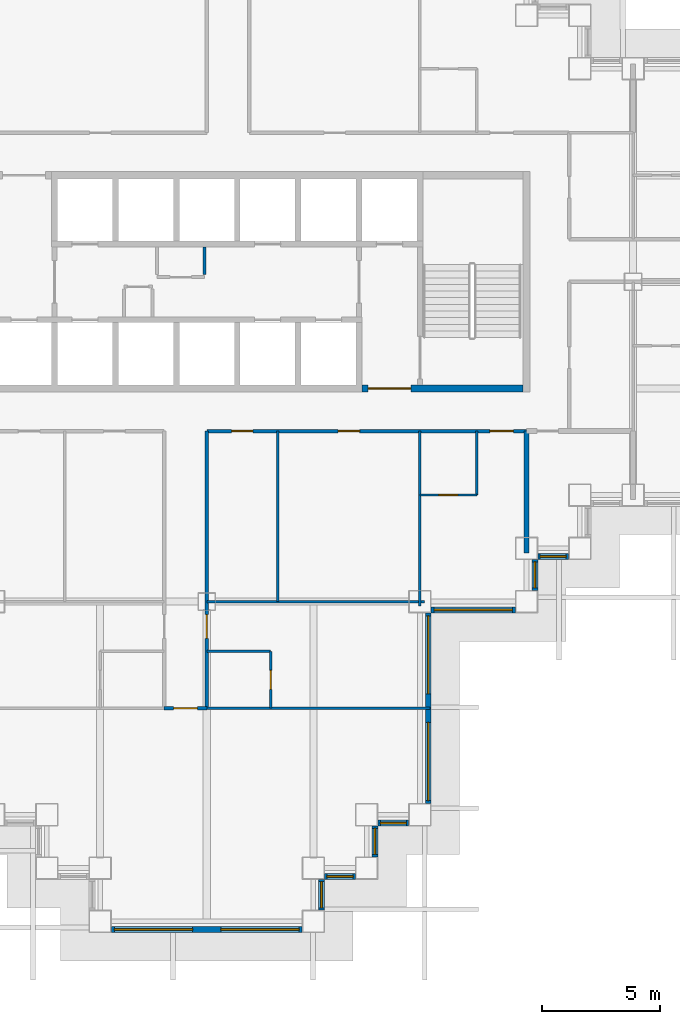
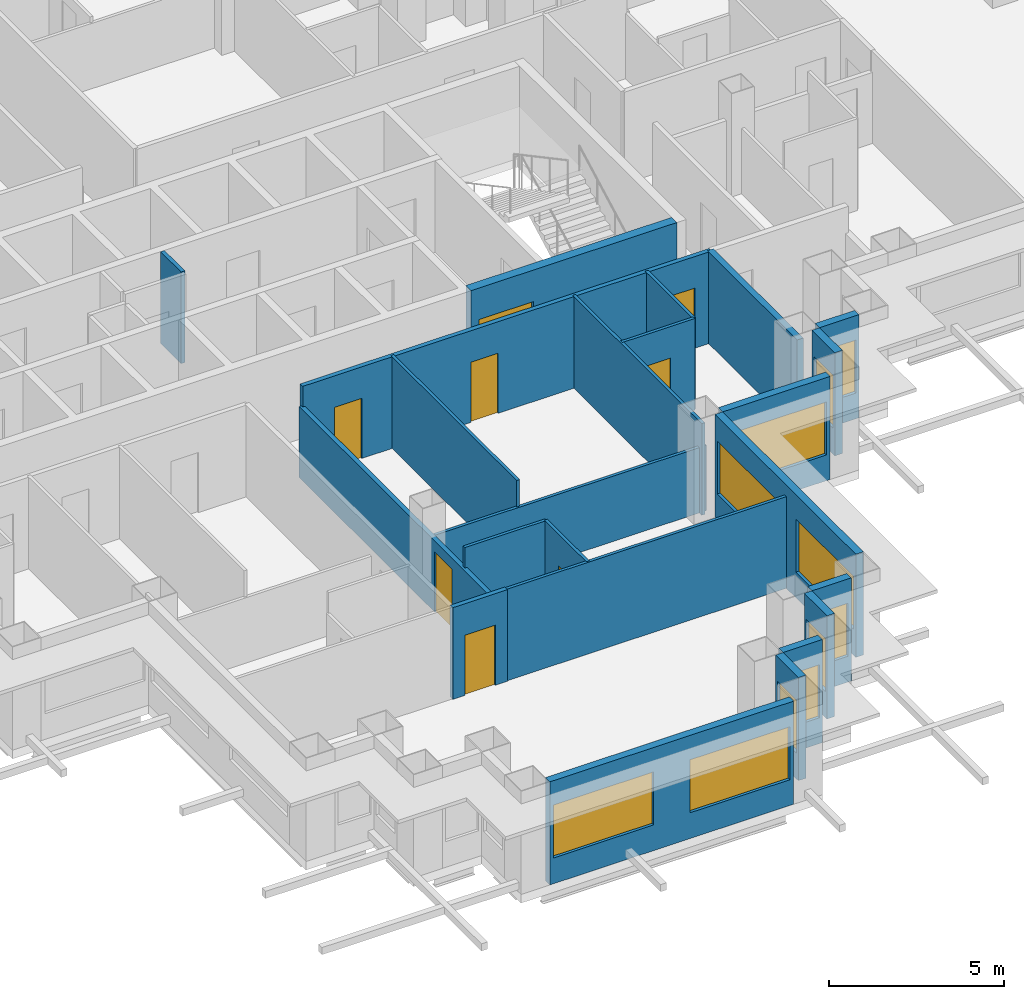
# One storey, part 5 of 15: 23 walls, 11 windows, 8 doors, 19 openings.
"""IFC4 building model written with IfcOpenShell, lengths in metres."""

from ifc_helpers import new_model, si_unit, direction, frame, frame_2d, origin, place, context, subcontext, project, spatial, rectangle, extrude, material, layer, layer_set, type_object, element, fill, save


model = new_model("IFC4")

# Units and contexts
model_context = context("Model", 3, precision=1e-05, world=origin(), true_north=direction((0.0, 1.0)))
body_context = subcontext(model_context, "Body", "Model", "MODEL_VIEW")
ifc_project = project(units=[si_unit("LENGTHUNIT", "METRE"), si_unit("AREAUNIT", "SQUARE_METRE"), si_unit("VOLUMEUNIT", "CUBIC_METRE"), si_unit("PLANEANGLEUNIT", "RADIAN"), si_unit("MASSUNIT", "GRAM", prefix="KILO")], contexts=[model_context])

# Site, building, storey
site_placement = place(None, origin())
site = spatial("IfcSite", under=ifc_project, at=site_placement, CompositionType="ELEMENT")
building_placement = place(site_placement, origin())
building = spatial("IfcBuilding", under=site, at=building_placement, Name="Caravel Reach Hotel and Residences", CompositionType="ELEMENT")
storey_placement = place(building_placement, frame((0.0, 0.0, 92.39990234375)))
storey = spatial("IfcBuildingStorey", under=building, at=storey_placement, Name="L22", CompositionType="ELEMENT", Elevation=92.39990234375)

# Wall
ifc_material_1 = material(Name="Gypsum board on steel stud", Category="steel")
ifc_layer_1 = layer(ifc_material_1, 0.10009765625)
ifc_layer_set_1 = layer_set([ifc_layer_1], Name="Bathroom pod wall 100 mm")
wall_type_1 = type_object("IfcWallType", Name="Bathroom pod wall 100 mm", PredefinedType="PARTITIONING", material=ifc_layer_set_1)
wall_1_placement = place(storey_placement, frame((31.5, 11.39990234375, 0.0), z_axis=(0.0, 0.0, 1.0), x_axis=(1.0, 0.0, 0.0)))
element("IfcWall", 1, at=wall_1_placement, inside=storey, type_object=wall_type_1, Name="L22 wall w071", PredefinedType="PARTITIONING", context=body_context, shape_type="SweptSolid", body=[
    extrude(rectangle(XDim=2.699951171875, YDim=0.10009765625, at=frame_2d((1.35009765625, 0.0))), origin(), (0.0, 0.0, 1.0), 3.2001953125),
])

# Wall, opening, door
wall_2_placement = place(storey_placement, frame((40.5, 18.0, 0.0), z_axis=(0.0, 0.0, 1.0), x_axis=(1.0, 0.0, 0.0)))
wall_2 = element("IfcWall", 2, at=wall_2_placement, inside=storey, type_object=wall_type_1, Name="L22 wall w074", PredefinedType="PARTITIONING", context=body_context, shape_type="SweptSolid", body=[
    extrude(rectangle(XDim=2.39990234375, YDim=0.10009765625, at=frame_2d((1.199951171875, 0.0))), origin(), (0.0, 0.0, 1.0), 3.2001953125),
])
opening_1_placement = place(wall_2_placement, frame((0.800048828125, 0.0, 0.0)))
opening_1 = element("IfcOpeningElement", 3, at=opening_1_placement, cuts=wall_2, Name="Opening D22-046", PredefinedType="OPENING", context=body_context, shape_type="SweptSolid", body=[
    extrude(rectangle(XDim=0.800048828125, YDim=2.10009765625, at=frame_2d((0.39990234375, 1.050048828125))), frame((0.0, 0.06005859375, 0.0), z_axis=(0.0, -1.0, 0.0), x_axis=(1.0, 0.0, 0.0)), (0.0, 0.0, 1.0), 0.1201171875),
])
ifc_material_2 = material(Name="Timber and steel door leaf", Category="steel")
door_type_1 = type_object("IfcDoorType", Name="Bathroom door 800 x 2100", OperationType="SINGLE_SWING_LEFT", PredefinedType="DOOR", material=ifc_material_2)
door_1_placement = place(opening_1_placement, origin())
door_1 = element("IfcDoor", 4, at=door_1_placement, inside=storey, type_object=door_type_1, Name="door D22-046", OperationType="SINGLE_SWING_RIGHT", OverallHeight=2.10009765625, OverallWidth=0.800048828125, PredefinedType="DOOR", context=body_context, shape_type="SweptSolid", body=[
    extrude(rectangle(XDim=0.800048828125, YDim=2.10009765625, at=frame_2d((0.39990234375, 1.050048828125))), frame((0.0, 0.02490234375, 0.0), z_axis=(0.0, -1.0, 0.0), x_axis=(1.0, 0.0, 0.0)), (0.0, 0.0, 1.0), 0.050048828125),
])
fill(opening_1, door_1)

wall_3_placement = place(storey_placement, frame((34.199951171875, 9.0, 0.0), z_axis=(0.0, 0.0, 1.0), x_axis=(0.0, 1.0, 0.0)))
wall_3 = element("IfcWall", 5, at=wall_3_placement, inside=storey, type_object=wall_type_1, Name="L22 wall w088", PredefinedType="PARTITIONING", context=body_context, shape_type="SweptSolid", body=[
    extrude(rectangle(XDim=2.39990234375, YDim=0.10009765625, at=frame_2d((1.199951171875, 0.0))), origin(), (0.0, 0.0, 1.0), 3.2001953125),
])
opening_2_placement = place(wall_3_placement, frame((0.800048828125, 0.0, 0.0)))
opening_2 = element("IfcOpeningElement", 6, at=opening_2_placement, cuts=wall_3, Name="Opening D22-033", PredefinedType="OPENING", context=body_context, shape_type="SweptSolid", body=[
    extrude(rectangle(XDim=0.800048828125, YDim=2.10009765625, at=frame_2d((0.39990234375, 1.050048828125))), frame((0.0, 0.06005859375, 0.0), z_axis=(0.0, -1.0, 0.0), x_axis=(1.0, 0.0, 0.0)), (0.0, 0.0, 1.0), 0.1201171875),
])
door_2_placement = place(opening_2_placement, origin())
door_2 = element("IfcDoor", 7, at=door_2_placement, inside=storey, type_object=door_type_1, Name="door D22-033", OperationType="SINGLE_SWING_LEFT", OverallHeight=2.10009765625, OverallWidth=0.800048828125, PredefinedType="DOOR", context=body_context, shape_type="SweptSolid", body=[
    extrude(rectangle(XDim=0.800048828125, YDim=2.10009765625, at=frame_2d((0.39990234375, 1.050048828125))), frame((0.0, 0.02490234375, 0.0), z_axis=(0.0, -1.0, 0.0), x_axis=(1.0, 0.0, 0.0)), (0.0, 0.0, 1.0), 0.050048828125),
])
fill(opening_2, door_2)

# Walls
wall_4_placement = place(storey_placement, frame((42.89990234375, 18.0, 0.0), z_axis=(0.0, 0.0, 1.0), x_axis=(0.0, 1.0, 0.0)))
element("IfcWall", 8, at=wall_4_placement, inside=storey, type_object=wall_type_1, Name="L22 wall w091", PredefinedType="PARTITIONING", context=body_context, shape_type="SweptSolid", body=[
    extrude(rectangle(XDim=2.699951171875, YDim=0.10009765625, at=frame_2d((1.35009765625, 0.0))), origin(), (0.0, 0.0, 1.0), 3.2001953125),
])
ifc_material_3 = material(Name="Autoclaved aerated block wall")
ifc_layer_2 = layer(ifc_material_3, 0.199951171875)
ifc_layer_set_2 = layer_set([ifc_layer_2], Name="Compartment wall 200 mm EI 120")
wall_type_2 = type_object("IfcWallType", Name="Compartment wall 200 mm EI 120", PredefinedType="PARTITIONING", material=ifc_layer_set_2)
wall_5_placement = place(storey_placement, frame((45.0, 15.56005859375, 0.0), z_axis=(0.0, 0.0, 1.0), x_axis=(0.0, 1.0, 0.0)))
element("IfcWall", 9, at=wall_5_placement, inside=storey, type_object=wall_type_2, Name="L22 wall w098", PredefinedType="PARTITIONING", context=body_context, shape_type="SweptSolid", body=[
    extrude(rectangle(XDim=5.139892578125, YDim=0.199951171875, at=frame_2d((2.56982421875, 0.0))), origin(), (0.0, 0.0, 1.0), 3.2001953125),
])

# Wall, opening, door
ifc_material_4 = material(Name="Concrete C60", Category="concrete")
ifc_layer_3 = layer(ifc_material_4, 0.300048828125)
ifc_layer_set_3 = layer_set([ifc_layer_3], Name="Core wall 300 mm EI 120")
wall_type_3 = type_object("IfcWallType", Name="Core wall 300 mm EI 120", PredefinedType="SHEAR", material=ifc_layer_set_3)
wall_6_placement = place(storey_placement, frame((38.053466796875, 22.5, 0.0), z_axis=(0.0, 0.0, 1.0), x_axis=(1.0, 0.0, 0.0)))
wall_6 = element("IfcWall", 10, at=wall_6_placement, inside=storey, type_object=wall_type_3, Name="L22 core wall S2", PredefinedType="SHEAR", context=body_context, shape_type="SweptSolid", body=[
    extrude(rectangle(XDim=6.796630859375, YDim=0.300048828125, at=frame_2d((3.3984375, 0.0))), origin(), (0.0, 0.0, 1.0), 3.2001953125),
])
opening_3_placement = place(wall_6_placement, frame((0.2607421875, 0.0, 0.0)))
opening_3 = element("IfcOpeningElement", 11, at=opening_3_placement, cuts=wall_6, Name="Opening D22-015", PredefinedType="OPENING", context=body_context, shape_type="SweptSolid", body=[
    extrude(rectangle(XDim=1.800048828125, YDim=2.10009765625, at=frame_2d((0.89990234375, 1.050048828125))), frame((0.0, 0.159912109375, 0.0), z_axis=(0.0, -1.0, 0.0), x_axis=(1.0, 0.0, 0.0)), (0.0, 0.0, 1.0), 0.320068359375),
])
ifc_material_5 = material(Name="Steel fire door leaf", Category="steel")
door_type_2 = type_object("IfcDoorType", Name="Fire lobby door pair 1800 x 2100 EI 90", OperationType="DOUBLE_DOOR_SINGLE_SWING", PredefinedType="DOOR", material=ifc_material_5)
door_3_placement = place(opening_3_placement, origin())
door_3 = element("IfcDoor", 12, at=door_3_placement, inside=storey, type_object=door_type_2, Name="lobby S door pair to corridor", OperationType="DOUBLE_DOOR_SINGLE_SWING", OverallHeight=2.10009765625, OverallWidth=1.800048828125, PredefinedType="DOOR", context=body_context, shape_type="SweptSolid", body=[
    extrude(rectangle(XDim=1.800048828125, YDim=2.10009765625, at=frame_2d((0.89990234375, 1.050048828125))), frame((0.0, 0.02490234375, 0.0), z_axis=(0.0, -1.0, 0.0), x_axis=(1.0, 0.0, 0.0)), (0.0, 0.0, 1.0), 0.050048828125),
])
fill(opening_3, door_3)

# Wall, openings, doors
ifc_material_6 = material(Name="Gypsum board on steel stud, fire-rated", Category="steel")
ifc_layer_4 = layer(ifc_material_6, 0.14990234375)
ifc_layer_set_4 = layer_set([ifc_layer_4], Name="Corridor wall 150 mm EI 60")
wall_type_4 = type_object("IfcWallType", Name="Corridor wall 150 mm EI 60", PredefinedType="PARTITIONING", material=ifc_layer_set_4)
wall_7_placement = place(storey_placement, frame((31.5, 20.699951171875, 0.0), z_axis=(0.0, 0.0, 1.0), x_axis=(1.0, 0.0, 0.0)))
wall_7 = element("IfcWall", 13, at=wall_7_placement, inside=storey, type_object=wall_type_4, Name="L22 wall w005", PredefinedType="PARTITIONING", context=body_context, shape_type="SweptSolid", body=[
    extrude(rectangle(XDim=13.5, YDim=0.14990234375, at=frame_2d((6.75, 0.0))), origin(), (0.0, 0.0, 1.0), 3.2001953125),
])
opening_4_placement = place(wall_7_placement, frame((11.949951171875, 0.0, 0.0)))
opening_4 = element("IfcOpeningElement", 14, at=opening_4_placement, cuts=wall_7, Name="Opening D22-045", PredefinedType="OPENING", context=body_context, shape_type="SweptSolid", body=[
    extrude(rectangle(XDim=1.0, YDim=2.10009765625, at=frame_2d((0.5, 1.050048828125))), frame((0.0, 0.0849609375, 0.0), z_axis=(0.0, -1.0, 0.0), x_axis=(1.0, 0.0, 0.0)), (0.0, 0.0, 1.0), 0.169921875),
])
opening_5_placement = place(wall_7_placement, frame((1.050048828125, 0.0, 0.0)))
opening_5 = element("IfcOpeningElement", 15, at=opening_5_placement, cuts=wall_7, Name="Opening D22-052", PredefinedType="OPENING", context=body_context, shape_type="SweptSolid", body=[
    extrude(rectangle(XDim=0.89990234375, YDim=2.10009765625, at=frame_2d((0.449951171875, 1.050048828125))), frame((0.0, 0.0849609375, 0.0), z_axis=(0.0, -1.0, 0.0), x_axis=(1.0, 0.0, 0.0)), (0.0, 0.0, 1.0), 0.169921875),
])
opening_6_placement = place(wall_7_placement, frame((5.550048828125, 0.0, 0.0)))
opening_6 = element("IfcOpeningElement", 16, at=opening_6_placement, cuts=wall_7, Name="Opening D22-053", PredefinedType="OPENING", context=body_context, shape_type="SweptSolid", body=[
    extrude(rectangle(XDim=0.89990234375, YDim=2.10009765625, at=frame_2d((0.449951171875, 1.050048828125))), frame((0.0, 0.0849609375, 0.0), z_axis=(0.0, -1.0, 0.0), x_axis=(1.0, 0.0, 0.0)), (0.0, 0.0, 1.0), 0.169921875),
])
ifc_material_7 = material(Name="Timber and steel door leaf", Category="steel")
door_type_3 = type_object("IfcDoorType", Name="Door 900 x 2100 timber", OperationType="SINGLE_SWING_LEFT", PredefinedType="DOOR", material=ifc_material_7)
door_4_placement = place(opening_5_placement, origin())
door_4 = element("IfcDoor", 17, at=door_4_placement, inside=storey, type_object=door_type_3, Name="door D22-052", OperationType="SINGLE_SWING_RIGHT", OverallHeight=2.10009765625, OverallWidth=0.89990234375, PredefinedType="DOOR", context=body_context, shape_type="SweptSolid", body=[
    extrude(rectangle(XDim=0.89990234375, YDim=2.10009765625, at=frame_2d((0.449951171875, 1.050048828125))), frame((0.0, 0.02490234375, 0.0), z_axis=(0.0, -1.0, 0.0), x_axis=(1.0, 0.0, 0.0)), (0.0, 0.0, 1.0), 0.050048828125),
])
fill(opening_5, door_4)
door_5_placement = place(opening_6_placement, origin())
door_5 = element("IfcDoor", 18, at=door_5_placement, inside=storey, type_object=door_type_3, Name="door D22-053", OperationType="SINGLE_SWING_LEFT", OverallHeight=2.10009765625, OverallWidth=0.89990234375, PredefinedType="DOOR", context=body_context, shape_type="SweptSolid", body=[
    extrude(rectangle(XDim=0.89990234375, YDim=2.10009765625, at=frame_2d((0.449951171875, 1.050048828125))), frame((0.0, 0.02490234375, 0.0), z_axis=(0.0, -1.0, 0.0), x_axis=(1.0, 0.0, 0.0)), (0.0, 0.0, 1.0), 0.050048828125),
])
fill(opening_6, door_5)
ifc_material_8 = material(Name="Steel fire door leaf", Category="steel")
door_type_4 = type_object("IfcDoorType", Name="Guest room door 1000 x 2100 EI 30", OperationType="SINGLE_SWING_LEFT", PredefinedType="DOOR", material=ifc_material_8)
door_6_placement = place(opening_4_placement, origin())
door_6 = element("IfcDoor", 19, at=door_6_placement, inside=storey, type_object=door_type_4, Name="door D22-045", OperationType="SINGLE_SWING_RIGHT", OverallHeight=2.10009765625, OverallWidth=1.0, PredefinedType="DOOR", context=body_context, shape_type="SweptSolid", body=[
    extrude(rectangle(XDim=1.0, YDim=2.10009765625, at=frame_2d((0.5, 1.050048828125))), frame((0.0, 0.02490234375, 0.0), z_axis=(0.0, -1.0, 0.0), x_axis=(1.0, 0.0, 0.0)), (0.0, 0.0, 1.0), 0.050048828125),
])
fill(opening_4, door_6)

# Wall, opening, door
wall_8_placement = place(storey_placement, frame((29.699951171875, 9.0, 0.0), z_axis=(0.0, 0.0, 1.0), x_axis=(1.0, 0.0, 0.0)))
wall_8 = element("IfcWall", 20, at=wall_8_placement, inside=storey, type_object=wall_type_4, Name="L22 wall w023", PredefinedType="PARTITIONING", context=body_context, shape_type="SweptSolid", body=[
    extrude(rectangle(XDim=1.800048828125, YDim=0.14990234375, at=frame_2d((0.89990234375, 0.0))), origin(), (0.0, 0.0, 1.0), 3.2001953125),
])
opening_7_placement = place(wall_8_placement, frame((0.39990234375, 0.0, 0.0)))
opening_7 = element("IfcOpeningElement", 21, at=opening_7_placement, cuts=wall_8, Name="Opening D22-037", PredefinedType="OPENING", context=body_context, shape_type="SweptSolid", body=[
    extrude(rectangle(XDim=1.0, YDim=2.10009765625, at=frame_2d((0.5, 1.050048828125))), frame((0.0, 0.0849609375, 0.0), z_axis=(0.0, -1.0, 0.0), x_axis=(1.0, 0.0, 0.0)), (0.0, 0.0, 1.0), 0.169921875),
])
door_7_placement = place(opening_7_placement, origin())
door_7 = element("IfcDoor", 22, at=door_7_placement, inside=storey, type_object=door_type_4, Name="door D22-037", OperationType="SINGLE_SWING_LEFT", OverallHeight=2.10009765625, OverallWidth=1.0, PredefinedType="DOOR", context=body_context, shape_type="SweptSolid", body=[
    extrude(rectangle(XDim=1.0, YDim=2.10009765625, at=frame_2d((0.5, 1.050048828125))), frame((0.0, 0.02490234375, 0.0), z_axis=(0.0, -1.0, 0.0), x_axis=(1.0, 0.0, 0.0)), (0.0, 0.0, 1.0), 0.050048828125),
])
fill(opening_7, door_7)

wall_9_placement = place(storey_placement, frame((31.5, 9.0, 0.0), z_axis=(0.0, 0.0, 1.0), x_axis=(0.0, 1.0, 0.0)))
wall_9 = element("IfcWall", 23, at=wall_9_placement, inside=storey, type_object=wall_type_4, Name="L22 wall w029", PredefinedType="PARTITIONING", context=body_context, shape_type="SweptSolid", body=[
    extrude(rectangle(XDim=11.699951171875, YDim=0.14990234375, at=frame_2d((5.85009765625, 0.0))), origin(), (0.0, 0.0, 1.0), 2.47998046875),
])
opening_8_placement = place(wall_9_placement, frame((2.949951171875, 0.0, 0.0)))
opening_8 = element("IfcOpeningElement", 24, at=opening_8_placement, cuts=wall_9, Name="Opening D22-032", PredefinedType="OPENING", context=body_context, shape_type="SweptSolid", body=[
    extrude(rectangle(XDim=1.0, YDim=2.10009765625, at=frame_2d((0.5, 1.050048828125))), frame((0.0, 0.0849609375, 0.0), z_axis=(0.0, -1.0, 0.0), x_axis=(1.0, 0.0, 0.0)), (0.0, 0.0, 1.0), 0.169921875),
])
door_8_placement = place(opening_8_placement, origin())
door_8 = element("IfcDoor", 25, at=door_8_placement, inside=storey, type_object=door_type_4, Name="door D22-032", OperationType="SINGLE_SWING_RIGHT", OverallHeight=2.10009765625, OverallWidth=1.0, PredefinedType="DOOR", context=body_context, shape_type="SweptSolid", body=[
    extrude(rectangle(XDim=1.0, YDim=2.10009765625, at=frame_2d((0.5, 1.050048828125))), frame((0.0, 0.02490234375, 0.0), z_axis=(0.0, -1.0, 0.0), x_axis=(1.0, 0.0, 0.0)), (0.0, 0.0, 1.0), 0.050048828125),
])
fill(opening_8, door_8)

# Wall, openings, windows
ifc_material_9 = material(Name="Insulated rainscreen wall, aluminium cladding", Category="aluminium")
ifc_layer_5 = layer(ifc_material_9, 0.25)
ifc_layer_set_5 = layer_set([ifc_layer_5], Name="EW1 Tower rainscreen wall")
wall_type_5 = type_object("IfcWallType", Name="EW1 Tower rainscreen wall", PredefinedType="SOLIDWALL", material=ifc_layer_set_5)
wall_10_placement = place(storey_placement, frame((27.47509765625, -0.35009765625, 0.0), z_axis=(0.0, 0.0, 1.0), x_axis=(1.0, 0.0, 0.0)))
wall_10 = element("IfcWall", 26, at=wall_10_placement, inside=storey, type_object=wall_type_5, Name="External wall L22 S5.1", PredefinedType="SOLIDWALL", context=body_context, shape_type="SweptSolid", body=[
    extrude(rectangle(XDim=8.0498046875, YDim=0.25, at=frame_2d((4.02490234375, 0.0))), origin(), (0.0, 0.0, 1.0), 3.60009765625),
])
opening_9_placement = place(wall_10_placement, frame((0.125, 0.0, 0.89990234375)))
opening_9 = element("IfcOpeningElement", 27, at=opening_9_placement, cuts=wall_10, Name="Opening WN7", PredefinedType="OPENING", context=body_context, shape_type="SweptSolid", body=[
    extrude(rectangle(XDim=3.300048828125, YDim=1.85009765625, at=frame_2d((1.64990234375, 0.925048828125))), frame((0.0, 0.135009765625, 0.0), z_axis=(0.0, -1.0, 0.0), x_axis=(1.0, 0.0, 0.0)), (0.0, 0.0, 1.0), 0.27001953125),
])
opening_10_placement = place(wall_10_placement, frame((4.625, 0.0, 0.89990234375)))
opening_10 = element("IfcOpeningElement", 28, at=opening_10_placement, cuts=wall_10, Name="Opening WN7", PredefinedType="OPENING", context=body_context, shape_type="SweptSolid", body=[
    extrude(rectangle(XDim=3.300048828125, YDim=1.85009765625, at=frame_2d((1.64990234375, 0.925048828125))), frame((0.0, 0.135009765625, 0.0), z_axis=(0.0, -1.0, 0.0), x_axis=(1.0, 0.0, 0.0)), (0.0, 0.0, 1.0), 0.27001953125),
])
ifc_material_10 = material(Name="Dark low-e glazing in black aluminium frame", Category="aluminium")
window_type_1 = type_object("IfcWindowType", Name="Hotel guest room window 3300 x 1850", PartitioningType="SINGLE_PANEL", PredefinedType="WINDOW", material=ifc_material_10)
window_1_placement = place(opening_9_placement, origin())
window_1 = element("IfcWindow", 29, at=window_1_placement, inside=storey, type_object=window_type_1, Name="Window L22 S5.1.1", OverallHeight=1.85009765625, OverallWidth=3.300048828125, PartitioningType="SINGLE_PANEL", PredefinedType="WINDOW", context=body_context, shape_type="SweptSolid", body=[
    extrude(rectangle(XDim=3.300048828125, YDim=1.85009765625, at=frame_2d((1.64990234375, 0.925048828125))), frame((0.0, 0.030029296875, 0.0), z_axis=(0.0, -1.0, 0.0), x_axis=(1.0, 0.0, 0.0)), (0.0, 0.0, 1.0), 0.06005859375),
])
fill(opening_9, window_1)
window_2_placement = place(opening_10_placement, origin())
window_2 = element("IfcWindow", 30, at=window_2_placement, inside=storey, type_object=window_type_1, Name="Window L22 S5.1.2", OverallHeight=1.85009765625, OverallWidth=3.300048828125, PartitioningType="SINGLE_PANEL", PredefinedType="WINDOW", context=body_context, shape_type="SweptSolid", body=[
    extrude(rectangle(XDim=3.300048828125, YDim=1.85009765625, at=frame_2d((1.64990234375, 0.925048828125))), frame((0.0, 0.030029296875, 0.0), z_axis=(0.0, -1.0, 0.0), x_axis=(1.0, 0.0, 0.0)), (0.0, 0.0, 1.0), 0.06005859375),
])
fill(opening_10, window_2)

# Wall, opening, window
wall_11_placement = place(storey_placement, frame((36.35009765625, 0.47509765625, 0.0), z_axis=(0.0, 0.0, 1.0), x_axis=(0.0, 1.0, 0.0)))
wall_11 = element("IfcWall", 31, at=wall_11_placement, inside=storey, type_object=wall_type_5, Name="External wall L22 E6.1", PredefinedType="SOLIDWALL", context=body_context, shape_type="SweptSolid", body=[
    extrude(rectangle(XDim=1.2998046875, YDim=0.25, at=frame_2d((0.64990234375, 0.0))), origin(), (0.0, 0.0, 1.0), 3.60009765625),
])
opening_11_placement = place(wall_11_placement, frame((0.10009765625, 0.0, 0.89990234375)))
opening_11 = element("IfcOpeningElement", 32, at=opening_11_placement, cuts=wall_11, Name="Opening WN6", PredefinedType="OPENING", context=body_context, shape_type="SweptSolid", body=[
    extrude(rectangle(XDim=1.10009765625, YDim=1.85009765625, at=frame_2d((0.550048828125, 0.925048828125))), frame((0.0, 0.135009765625, 0.0), z_axis=(0.0, -1.0, 0.0), x_axis=(1.0, 0.0, 0.0)), (0.0, 0.0, 1.0), 0.27001953125),
])
ifc_material_11 = material(Name="Dark low-e glazing in black aluminium frame", Category="aluminium")
window_type_2 = type_object("IfcWindowType", Name="Hotel suite corner window 1100 x 1850", PartitioningType="SINGLE_PANEL", PredefinedType="WINDOW", material=ifc_material_11)
window_3_placement = place(opening_11_placement, origin())
window_3 = element("IfcWindow", 33, at=window_3_placement, inside=storey, type_object=window_type_2, Name="Window L22 E6.1.1", OverallHeight=1.85009765625, OverallWidth=1.10009765625, PartitioningType="SINGLE_PANEL", PredefinedType="WINDOW", context=body_context, shape_type="SweptSolid", body=[
    extrude(rectangle(XDim=1.10009765625, YDim=1.85009765625, at=frame_2d((0.550048828125, 0.925048828125))), frame((0.0, 0.030029296875, 0.0), z_axis=(0.0, -1.0, 0.0), x_axis=(1.0, 0.0, 0.0)), (0.0, 0.0, 1.0), 0.06005859375),
])
fill(opening_11, window_3)

wall_12_placement = place(storey_placement, frame((36.47509765625, 1.89990234375, 0.0), z_axis=(0.0, 0.0, 1.0), x_axis=(1.0, 0.0, 0.0)))
wall_12 = element("IfcWall", 34, at=wall_12_placement, inside=storey, type_object=wall_type_5, Name="External wall L22 S7.1", PredefinedType="SOLIDWALL", context=body_context, shape_type="SweptSolid", body=[
    extrude(rectangle(XDim=1.2998046875, YDim=0.25, at=frame_2d((0.64990234375, 0.0))), origin(), (0.0, 0.0, 1.0), 3.60009765625),
])
opening_12_placement = place(wall_12_placement, frame((0.10009765625, 0.0, 0.89990234375)))
opening_12 = element("IfcOpeningElement", 35, at=opening_12_placement, cuts=wall_12, Name="Opening WN6", PredefinedType="OPENING", context=body_context, shape_type="SweptSolid", body=[
    extrude(rectangle(XDim=1.10009765625, YDim=1.85009765625, at=frame_2d((0.550048828125, 0.925048828125))), frame((0.0, 0.135009765625, 0.0), z_axis=(0.0, -1.0, 0.0), x_axis=(1.0, 0.0, 0.0)), (0.0, 0.0, 1.0), 0.27001953125),
])
window_4_placement = place(opening_12_placement, origin())
window_4 = element("IfcWindow", 36, at=window_4_placement, inside=storey, type_object=window_type_2, Name="Window L22 S7.1.1", OverallHeight=1.85009765625, OverallWidth=1.10009765625, PartitioningType="SINGLE_PANEL", PredefinedType="WINDOW", context=body_context, shape_type="SweptSolid", body=[
    extrude(rectangle(XDim=1.10009765625, YDim=1.85009765625, at=frame_2d((0.550048828125, 0.925048828125))), frame((0.0, 0.030029296875, 0.0), z_axis=(0.0, -1.0, 0.0), x_axis=(1.0, 0.0, 0.0)), (0.0, 0.0, 1.0), 0.06005859375),
])
fill(opening_12, window_4)

wall_13_placement = place(storey_placement, frame((38.60009765625, 2.72509765625, 0.0), z_axis=(0.0, 0.0, 1.0), x_axis=(0.0, 1.0, 0.0)))
wall_13 = element("IfcWall", 37, at=wall_13_placement, inside=storey, type_object=wall_type_5, Name="External wall L22 E8.1", PredefinedType="SOLIDWALL", context=body_context, shape_type="SweptSolid", body=[
    extrude(rectangle(XDim=1.2998046875, YDim=0.25, at=frame_2d((0.64990234375, 0.0))), origin(), (0.0, 0.0, 1.0), 3.60009765625),
])
opening_13_placement = place(wall_13_placement, frame((0.10009765625, 0.0, 0.89990234375)))
opening_13 = element("IfcOpeningElement", 38, at=opening_13_placement, cuts=wall_13, Name="Opening WN6", PredefinedType="OPENING", context=body_context, shape_type="SweptSolid", body=[
    extrude(rectangle(XDim=1.10009765625, YDim=1.85009765625, at=frame_2d((0.550048828125, 0.925048828125))), frame((0.0, 0.135009765625, 0.0), z_axis=(0.0, -1.0, 0.0), x_axis=(1.0, 0.0, 0.0)), (0.0, 0.0, 1.0), 0.27001953125),
])
window_5_placement = place(opening_13_placement, origin())
window_5 = element("IfcWindow", 39, at=window_5_placement, inside=storey, type_object=window_type_2, Name="Window L22 E8.1.1", OverallHeight=1.85009765625, OverallWidth=1.10009765625, PartitioningType="SINGLE_PANEL", PredefinedType="WINDOW", context=body_context, shape_type="SweptSolid", body=[
    extrude(rectangle(XDim=1.10009765625, YDim=1.85009765625, at=frame_2d((0.550048828125, 0.925048828125))), frame((0.0, 0.030029296875, 0.0), z_axis=(0.0, -1.0, 0.0), x_axis=(1.0, 0.0, 0.0)), (0.0, 0.0, 1.0), 0.06005859375),
])
fill(opening_13, window_5)

wall_14_placement = place(storey_placement, frame((38.72509765625, 4.14990234375, 0.0), z_axis=(0.0, 0.0, 1.0), x_axis=(1.0, 0.0, 0.0)))
wall_14 = element("IfcWall", 40, at=wall_14_placement, inside=storey, type_object=wall_type_5, Name="External wall L22 S9.1", PredefinedType="SOLIDWALL", context=body_context, shape_type="SweptSolid", body=[
    extrude(rectangle(XDim=1.2998046875, YDim=0.25, at=frame_2d((0.64990234375, 0.0))), origin(), (0.0, 0.0, 1.0), 3.60009765625),
])
opening_14_placement = place(wall_14_placement, frame((0.10009765625, 0.0, 0.89990234375)))
opening_14 = element("IfcOpeningElement", 41, at=opening_14_placement, cuts=wall_14, Name="Opening WN6", PredefinedType="OPENING", context=body_context, shape_type="SweptSolid", body=[
    extrude(rectangle(XDim=1.10009765625, YDim=1.85009765625, at=frame_2d((0.550048828125, 0.925048828125))), frame((0.0, 0.135009765625, 0.0), z_axis=(0.0, -1.0, 0.0), x_axis=(1.0, 0.0, 0.0)), (0.0, 0.0, 1.0), 0.27001953125),
])
window_6_placement = place(opening_14_placement, origin())
window_6 = element("IfcWindow", 42, at=window_6_placement, inside=storey, type_object=window_type_2, Name="Window L22 S9.1.1", OverallHeight=1.85009765625, OverallWidth=1.10009765625, PartitioningType="SINGLE_PANEL", PredefinedType="WINDOW", context=body_context, shape_type="SweptSolid", body=[
    extrude(rectangle(XDim=1.10009765625, YDim=1.85009765625, at=frame_2d((0.550048828125, 0.925048828125))), frame((0.0, 0.030029296875, 0.0), z_axis=(0.0, -1.0, 0.0), x_axis=(1.0, 0.0, 0.0)), (0.0, 0.0, 1.0), 0.06005859375),
])
fill(opening_14, window_6)

# Wall, openings, windows
wall_15_placement = place(storey_placement, frame((40.85009765625, 4.97509765625, 0.0), z_axis=(0.0, 0.0, 1.0), x_axis=(0.0, 1.0, 0.0)))
wall_15 = element("IfcWall", 43, at=wall_15_placement, inside=storey, type_object=wall_type_5, Name="External wall L22 E10.1", PredefinedType="SOLIDWALL", context=body_context, shape_type="SweptSolid", body=[
    extrude(rectangle(XDim=8.0498046875, YDim=0.25, at=frame_2d((4.02490234375, 0.0))), origin(), (0.0, 0.0, 1.0), 3.60009765625),
])
opening_15_placement = place(wall_15_placement, frame((0.125, 0.0, 0.89990234375)))
opening_15 = element("IfcOpeningElement", 44, at=opening_15_placement, cuts=wall_15, Name="Opening WN7", PredefinedType="OPENING", context=body_context, shape_type="SweptSolid", body=[
    extrude(rectangle(XDim=3.300048828125, YDim=1.85009765625, at=frame_2d((1.64990234375, 0.925048828125))), frame((0.0, 0.135009765625, 0.0), z_axis=(0.0, -1.0, 0.0), x_axis=(1.0, 0.0, 0.0)), (0.0, 0.0, 1.0), 0.27001953125),
])
opening_16_placement = place(wall_15_placement, frame((4.625, 0.0, 0.89990234375)))
opening_16 = element("IfcOpeningElement", 45, at=opening_16_placement, cuts=wall_15, Name="Opening WN7", PredefinedType="OPENING", context=body_context, shape_type="SweptSolid", body=[
    extrude(rectangle(XDim=3.300048828125, YDim=1.85009765625, at=frame_2d((1.64990234375, 0.925048828125))), frame((0.0, 0.135009765625, 0.0), z_axis=(0.0, -1.0, 0.0), x_axis=(1.0, 0.0, 0.0)), (0.0, 0.0, 1.0), 0.27001953125),
])
window_7_placement = place(opening_15_placement, origin())
window_7 = element("IfcWindow", 46, at=window_7_placement, inside=storey, type_object=window_type_1, Name="Window L22 E10.1.1", OverallHeight=1.85009765625, OverallWidth=3.300048828125, PartitioningType="SINGLE_PANEL", PredefinedType="WINDOW", context=body_context, shape_type="SweptSolid", body=[
    extrude(rectangle(XDim=3.300048828125, YDim=1.85009765625, at=frame_2d((1.64990234375, 0.925048828125))), frame((0.0, 0.030029296875, 0.0), z_axis=(0.0, -1.0, 0.0), x_axis=(1.0, 0.0, 0.0)), (0.0, 0.0, 1.0), 0.06005859375),
])
fill(opening_15, window_7)
window_8_placement = place(opening_16_placement, origin())
window_8 = element("IfcWindow", 47, at=window_8_placement, inside=storey, type_object=window_type_1, Name="Window L22 E10.1.2", OverallHeight=1.85009765625, OverallWidth=3.300048828125, PartitioningType="SINGLE_PANEL", PredefinedType="WINDOW", context=body_context, shape_type="SweptSolid", body=[
    extrude(rectangle(XDim=3.300048828125, YDim=1.85009765625, at=frame_2d((1.64990234375, 0.925048828125))), frame((0.0, 0.030029296875, 0.0), z_axis=(0.0, -1.0, 0.0), x_axis=(1.0, 0.0, 0.0)), (0.0, 0.0, 1.0), 0.06005859375),
])
fill(opening_16, window_8)

# Wall, opening, window
wall_16_placement = place(storey_placement, frame((40.97509765625, 13.14990234375, 0.0), z_axis=(0.0, 0.0, 1.0), x_axis=(1.0, 0.0, 0.0)))
wall_16 = element("IfcWall", 48, at=wall_16_placement, inside=storey, type_object=wall_type_5, Name="External wall L22 S11.1", PredefinedType="SOLIDWALL", context=body_context, shape_type="SweptSolid", body=[
    extrude(rectangle(XDim=3.5498046875, YDim=0.25, at=frame_2d((1.77490234375, 0.0))), origin(), (0.0, 0.0, 1.0), 3.60009765625),
])
opening_17_placement = place(wall_16_placement, frame((0.125, 0.0, 0.89990234375)))
opening_17 = element("IfcOpeningElement", 49, at=opening_17_placement, cuts=wall_16, Name="Opening WN7", PredefinedType="OPENING", context=body_context, shape_type="SweptSolid", body=[
    extrude(rectangle(XDim=3.300048828125, YDim=1.85009765625, at=frame_2d((1.64990234375, 0.925048828125))), frame((0.0, 0.135009765625, 0.0), z_axis=(0.0, -1.0, 0.0), x_axis=(1.0, 0.0, 0.0)), (0.0, 0.0, 1.0), 0.27001953125),
])
window_9_placement = place(opening_17_placement, origin())
window_9 = element("IfcWindow", 50, at=window_9_placement, inside=storey, type_object=window_type_1, Name="Window L22 S11.1.1", OverallHeight=1.85009765625, OverallWidth=3.300048828125, PartitioningType="SINGLE_PANEL", PredefinedType="WINDOW", context=body_context, shape_type="SweptSolid", body=[
    extrude(rectangle(XDim=3.300048828125, YDim=1.85009765625, at=frame_2d((1.64990234375, 0.925048828125))), frame((0.0, 0.030029296875, 0.0), z_axis=(0.0, -1.0, 0.0), x_axis=(1.0, 0.0, 0.0)), (0.0, 0.0, 1.0), 0.06005859375),
])
fill(opening_17, window_9)

wall_17_placement = place(storey_placement, frame((45.35009765625, 13.97509765625, 0.0), z_axis=(0.0, 0.0, 1.0), x_axis=(0.0, 1.0, 0.0)))
wall_17 = element("IfcWall", 51, at=wall_17_placement, inside=storey, type_object=wall_type_5, Name="External wall L22 E12.1", PredefinedType="SOLIDWALL", context=body_context, shape_type="SweptSolid", body=[
    extrude(rectangle(XDim=1.2998046875, YDim=0.25, at=frame_2d((0.64990234375, 0.0))), origin(), (0.0, 0.0, 1.0), 3.60009765625),
])
opening_18_placement = place(wall_17_placement, frame((0.10009765625, 0.0, 0.89990234375)))
opening_18 = element("IfcOpeningElement", 52, at=opening_18_placement, cuts=wall_17, Name="Opening WN6", PredefinedType="OPENING", context=body_context, shape_type="SweptSolid", body=[
    extrude(rectangle(XDim=1.10009765625, YDim=1.85009765625, at=frame_2d((0.550048828125, 0.925048828125))), frame((0.0, 0.135009765625, 0.0), z_axis=(0.0, -1.0, 0.0), x_axis=(1.0, 0.0, 0.0)), (0.0, 0.0, 1.0), 0.27001953125),
])
window_10_placement = place(opening_18_placement, origin())
window_10 = element("IfcWindow", 53, at=window_10_placement, inside=storey, type_object=window_type_2, Name="Window L22 E12.1.1", OverallHeight=1.85009765625, OverallWidth=1.10009765625, PartitioningType="SINGLE_PANEL", PredefinedType="WINDOW", context=body_context, shape_type="SweptSolid", body=[
    extrude(rectangle(XDim=1.10009765625, YDim=1.85009765625, at=frame_2d((0.550048828125, 0.925048828125))), frame((0.0, 0.030029296875, 0.0), z_axis=(0.0, -1.0, 0.0), x_axis=(1.0, 0.0, 0.0)), (0.0, 0.0, 1.0), 0.06005859375),
])
fill(opening_18, window_10)

wall_18_placement = place(storey_placement, frame((45.47509765625, 15.39990234375, 0.0), z_axis=(0.0, 0.0, 1.0), x_axis=(1.0, 0.0, 0.0)))
wall_18 = element("IfcWall", 54, at=wall_18_placement, inside=storey, type_object=wall_type_5, Name="External wall L22 S13.1", PredefinedType="SOLIDWALL", context=body_context, shape_type="SweptSolid", body=[
    extrude(rectangle(XDim=1.2998046875, YDim=0.25, at=frame_2d((0.64990234375, 0.0))), origin(), (0.0, 0.0, 1.0), 3.60009765625),
])
opening_19_placement = place(wall_18_placement, frame((0.10009765625, 0.0, 0.89990234375)))
opening_19 = element("IfcOpeningElement", 55, at=opening_19_placement, cuts=wall_18, Name="Opening WN6", PredefinedType="OPENING", context=body_context, shape_type="SweptSolid", body=[
    extrude(rectangle(XDim=1.10009765625, YDim=1.85009765625, at=frame_2d((0.550048828125, 0.925048828125))), frame((0.0, 0.135009765625, 0.0), z_axis=(0.0, -1.0, 0.0), x_axis=(1.0, 0.0, 0.0)), (0.0, 0.0, 1.0), 0.27001953125),
])
window_11_placement = place(opening_19_placement, origin())
window_11 = element("IfcWindow", 56, at=window_11_placement, inside=storey, type_object=window_type_2, Name="Window L22 S13.1.1", OverallHeight=1.85009765625, OverallWidth=1.10009765625, PartitioningType="SINGLE_PANEL", PredefinedType="WINDOW", context=body_context, shape_type="SweptSolid", body=[
    extrude(rectangle(XDim=1.10009765625, YDim=1.85009765625, at=frame_2d((0.550048828125, 0.925048828125))), frame((0.0, 0.030029296875, 0.0), z_axis=(0.0, -1.0, 0.0), x_axis=(1.0, 0.0, 0.0)), (0.0, 0.0, 1.0), 0.06005859375),
])
fill(opening_19, window_11)

# Walls
ifc_material_12 = material(Name="Gypsum board on steel stud", Category="steel")
ifc_layer_6 = layer(ifc_material_12, 0.10009765625)
ifc_layer_set_6 = layer_set([ifc_layer_6], Name="Partition 100 mm")
wall_type_6 = type_object("IfcWallType", Name="Partition 100 mm", PredefinedType="PARTITIONING", material=ifc_layer_set_6)
wall_19_placement = place(storey_placement, frame((31.5, 13.5, 0.0), z_axis=(0.0, 0.0, 1.0), x_axis=(1.0, 0.0, 0.0)))
element("IfcWall", 57, at=wall_19_placement, inside=storey, type_object=wall_type_6, Name="L22 wall w038", PredefinedType="PARTITIONING", context=body_context, shape_type="SweptSolid", body=[
    extrude(rectangle(XDim=9.18994140625, YDim=0.10009765625, at=frame_2d((4.594970703125, 0.0))), origin(), (0.0, 0.0, 1.0), 2.280029296875),
])
wall_20_placement = place(storey_placement, frame((31.5, 9.0, 0.0), z_axis=(0.0, 0.0, 1.0), x_axis=(1.0, 0.0, 0.0)))
element("IfcWall", 58, at=wall_20_placement, inside=storey, type_object=wall_type_6, Name="L22 wall w049", PredefinedType="PARTITIONING", context=body_context, shape_type="SweptSolid", body=[
    extrude(rectangle(XDim=9.4150390625, YDim=0.10009765625, at=frame_2d((4.70751953125, 0.0))), origin(), (0.0, 0.0, 1.0), 3.2001953125),
])
wall_21_placement = place(storey_placement, frame((34.5, 13.5, 0.0), z_axis=(0.0, 0.0, 1.0), x_axis=(0.0, 1.0, 0.0)))
element("IfcWall", 59, at=wall_21_placement, inside=storey, type_object=wall_type_6, Name="L22 wall w058", PredefinedType="PARTITIONING", context=body_context, shape_type="SweptSolid", body=[
    extrude(rectangle(XDim=7.199951171875, YDim=0.10009765625, at=frame_2d((3.60009765625, 0.0))), origin(), (0.0, 0.0, 1.0), 3.2001953125),
])
wall_22_placement = place(storey_placement, frame((40.5, 13.31005859375, 0.0), z_axis=(0.0, 0.0, 1.0), x_axis=(0.0, 1.0, 0.0)))
element("IfcWall", 60, at=wall_22_placement, inside=storey, type_object=wall_type_6, Name="L22 wall w062", PredefinedType="PARTITIONING", context=body_context, shape_type="SweptSolid", body=[
    extrude(rectangle(XDim=7.389892578125, YDim=0.10009765625, at=frame_2d((3.69482421875, 0.0))), origin(), (0.0, 0.0, 1.0), 3.2001953125),
])
ifc_material_13 = material(Name="Autoclaved aerated block wall")
ifc_layer_7 = layer(ifc_material_13, 0.125)
ifc_layer_set_7 = layer_set([ifc_layer_7], Name="Riser wall 125 mm EI 60")
wall_type_7 = type_object("IfcWallType", Name="Riser wall 125 mm EI 60", PredefinedType="PARTITIONING", material=ifc_layer_set_7)
wall_23_placement = place(storey_placement, frame((31.39990234375, 28.47509765625, 0.0), z_axis=(0.0, 0.0, 1.0), x_axis=(0.0, -1.0, 0.0)))
element("IfcWall", 61, at=wall_23_placement, inside=storey, type_object=wall_type_7, Name="L22 service room partition N1", PredefinedType="PARTITIONING", context=body_context, shape_type="SweptSolid", body=[
    extrude(rectangle(XDim=1.175048828125, YDim=0.125, at=frame_2d((0.58740234375, 0.0))), origin(), (0.0, 0.0, 1.0), 3.2001953125),
])

save(model, "model.ifc")
